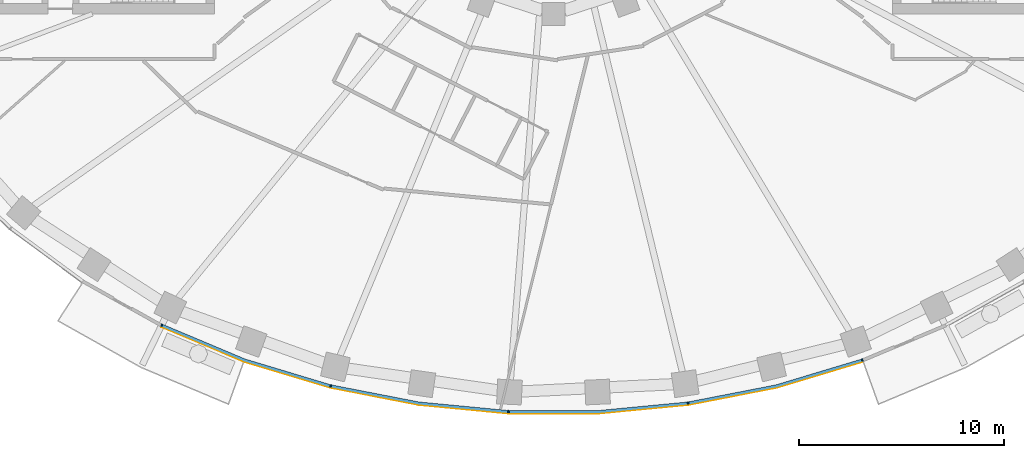
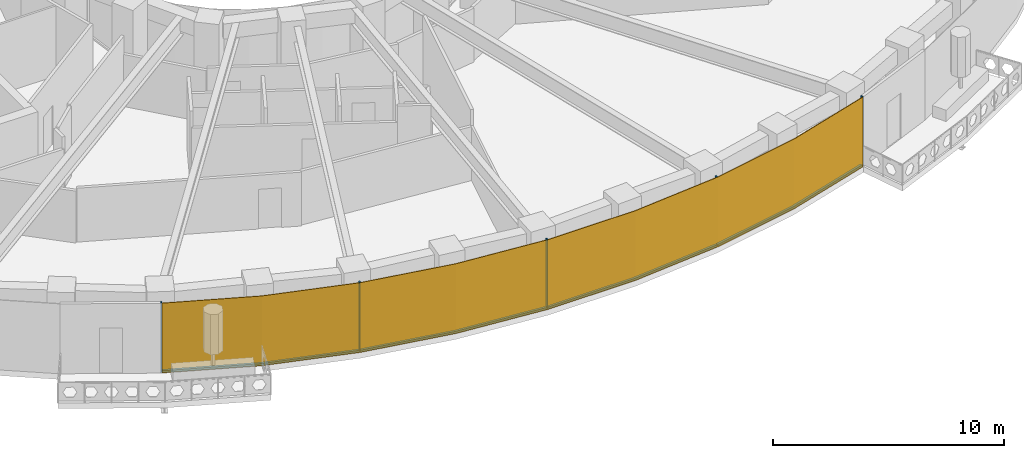
# One storey, part 9 of 15: 9 members, 1 curtain wall.
"""IFC4 building model written with IfcOpenShell, lengths in metres."""

from ifc_helpers import new_model, si_unit, direction, frame, origin, origin_2d, place, context, subcontext, project, spatial, polyline, rectangle, outline, extrude, material, layer, layer_set, material_profile, profile_set, type_object, element, aggregate, save


model = new_model("IFC4")

# Units and contexts
model_context = context("Model", 3, precision=1e-05, world=origin(), true_north=direction((0.0, 1.0)))
body_context = subcontext(model_context, "Body", "Model", "MODEL_VIEW")
ifc_project = project(units=[si_unit("LENGTHUNIT", "METRE"), si_unit("AREAUNIT", "SQUARE_METRE"), si_unit("VOLUMEUNIT", "CUBIC_METRE"), si_unit("PLANEANGLEUNIT", "RADIAN"), si_unit("MASSUNIT", "GRAM", prefix="KILO")], contexts=[model_context])

# Member
ifc_material_1 = material(Name="Aluminium 6063-T6 black anodised", Category="aluminium")
ifc_material_profile = material_profile(ifc_material_1, rectangle(XDim=0.1201171875, YDim=0.06005859375, at=origin_2d()), Name="120x60")
ifc_profile_set = profile_set([ifc_material_profile], Name="Aluminium 6063-T6 black anodised")
member_type_1 = type_object("IfcMemberType", Name="ENV-MULLION-A-120", PredefinedType="MULLION", material=ifc_profile_set)
site_placement = place(None, origin())
building_placement = place(site_placement, origin())
storey_placement = place(building_placement, frame((0.0, 0.0, 170.0)))
member_1_placement = place(storey_placement, frame((-19.06787109375, -23.6474609375, 0.0), z_axis=(0.0, 0.0, 1.0), x_axis=(0.439237769837, 0.898370848563, 0.0)))
member_1 = element("IfcMember", 1, at=member_1_placement, type_object=member_type_1, Name="Mullion A radial 31", PredefinedType="MULLION", context=body_context, shape_type="SweptSolid", body=[
    extrude(rectangle(XDim=0.1201171875, YDim=0.06005859375, at=origin_2d()), origin(), (0.0, 0.0, 1.0), 3.699951171875),
])

member_2_placement = place(storey_placement, frame((-10.84326171875, -26.60498046875, 0.0), z_axis=(0.0, 0.0, 1.0), x_axis=(0.239799081534, 0.970822538106, 0.0)))
member_2 = element("IfcMember", 2, at=member_2_placement, type_object=member_type_1, Name="Mullion A radial 33", PredefinedType="MULLION", context=body_context, shape_type="SweptSolid", body=[
    extrude(rectangle(XDim=0.1201171875, YDim=0.06005859375, at=origin_2d()), origin(), (0.0, 0.0, 1.0), 3.699951171875),
])

member_3_placement = place(storey_placement, frame((-2.188720703125, -27.856201171875, 0.0), z_axis=(0.0, 0.0, 1.0), x_axis=(0.047557873581, 0.998868484166, 0.0)))
member_3 = element("IfcMember", 3, at=member_3_placement, type_object=member_type_1, Name="Mullion A radial 35", PredefinedType="MULLION", context=body_context, shape_type="SweptSolid", body=[
    extrude(rectangle(XDim=0.1201171875, YDim=0.06005859375, at=origin_2d()), origin(), (0.0, 0.0, 1.0), 3.699951171875),
])

member_4_placement = place(storey_placement, frame((6.54638671875, -27.440185546875, 0.0), z_axis=(0.0, 0.0, 1.0), x_axis=(-0.143082012705, 0.989710835366, 0.0)))
member_4 = element("IfcMember", 4, at=member_4_placement, type_object=member_type_1, Name="Mullion A radial 37", PredefinedType="MULLION", context=body_context, shape_type="SweptSolid", body=[
    extrude(rectangle(XDim=0.1201171875, YDim=0.06005859375, at=origin_2d()), origin(), (0.0, 0.0, 1.0), 3.699951171875),
])

member_5_placement = place(storey_placement, frame((15.0341796875, -25.34375, 0.0), z_axis=(0.0, 0.0, 1.0), x_axis=(-0.338379256581, 0.941009818608, 0.0)))
member_5 = element("IfcMember", 5, at=member_5_placement, type_object=member_type_1, Name="Mullion A radial 39", PredefinedType="MULLION", context=body_context, shape_type="SweptSolid", body=[
    extrude(rectangle(XDim=0.1201171875, YDim=0.06005859375, at=origin_2d()), origin(), (0.0, 0.0, 1.0), 3.699951171875),
])

ifc_material_2 = material(Name="Aluminium 6063-T6 black anodised", Category="aluminium")
member_type_2 = type_object("IfcMemberType", Name="ENV-TRANSOM-A", PredefinedType="USERDEFINED", material=ifc_material_2)
member_6_placement = place(storey_placement, origin())
member_6 = element("IfcMember", 6, at=member_6_placement, type_object=member_type_2, Name="Transom A radial 31-33", ObjectType="TRANSOM", PredefinedType="USERDEFINED", context=body_context, shape_type="SweptSolid", body=[
    extrude(outline(polyline([(-19.068359375, -23.71240234375), (-15.054443359375, -25.400146484375), (-10.884521484375, -26.655029296875), (-10.855712890625, -26.53857421875), (-15.013916015625, -25.287109375), (-19.015380859375, -23.604248046875), (-19.068359375, -23.71240234375)])), origin(), (0.0, 0.0, 1.0), 0.10009765625),
])

member_7_placement = place(storey_placement, origin())
member_7 = element("IfcMember", 7, at=member_7_placement, type_object=member_type_2, Name="Transom A radial 33-35", ObjectType="TRANSOM", PredefinedType="USERDEFINED", context=body_context, shape_type="SweptSolid", body=[
    extrude(outline(polyline([(-10.830078125, -26.66845703125), (-6.55517578125, -27.49951171875), (-2.219482421875, -27.913330078125), (-2.2138671875, -27.793212890625), (-6.537841796875, -27.380615234375), (-10.80126953125, -26.552001953125), (-10.830078125, -26.66845703125)])), origin(), (0.0, 0.0, 1.0), 0.10009765625),
])

member_8_placement = place(storey_placement, origin())
member_8 = element("IfcMember", 8, at=member_8_placement, type_object=member_type_2, Name="Transom A radial 35-37", ObjectType="TRANSOM", PredefinedType="USERDEFINED", context=body_context, shape_type="SweptSolid", body=[
    extrude(outline(polyline([(-2.163818359375, -27.916015625), (2.191650390625, -27.916015625), (6.527099609375, -27.502197265625), (6.510009765625, -27.38330078125), (2.185791015625, -27.7958984375), (-2.157958984375, -27.7958984375), (-2.163818359375, -27.916015625)])), origin(), (0.0, 0.0, 1.0), 0.10009765625),
])

member_9_placement = place(storey_placement, origin())
member_9 = element("IfcMember", 9, at=member_9_placement, type_object=member_type_2, Name="Transom A radial 37-39", ObjectType="TRANSOM", PredefinedType="USERDEFINED", context=body_context, shape_type="SweptSolid", body=[
    extrude(outline(polyline([(6.58251953125, -27.494140625), (10.857666015625, -26.6630859375), (15.027587890625, -25.408203125), (14.987060546875, -25.295166015625), (10.828857421875, -26.54638671875), (6.5654296875, -27.375244140625), (6.58251953125, -27.494140625)])), origin(), (0.0, 0.0, 1.0), 0.10009765625),
])

# Site, building, storey
site = spatial("IfcSite", under=ifc_project, at=site_placement, CompositionType="ELEMENT")
building = spatial("IfcBuilding", under=site, at=building_placement, Name="Noorbagh Ring Tower", CompositionType="ELEMENT")
storey = spatial("IfcBuildingStorey", under=building, at=storey_placement, Name="L39", CompositionType="ELEMENT", Elevation=170.0)

# Curtain wall
ifc_material_3 = material(Name="Glass dark tinted laminated", Category="glass")
ifc_layer = layer(ifc_material_3, 0.031982421875)
ifc_layer_set = layer_set([ifc_layer], Name="Glass dark tinted laminated")
curtain_wall_type = type_object("IfcCurtainWallType", Name="ENV-CW-A", PredefinedType="NOTDEFINED", material=ifc_layer_set)
curtain_wall_placement = place(storey_placement, origin())
curtain_wall = element("IfcCurtainWall", 10, at=curtain_wall_placement, inside=storey, type_object=curtain_wall_type, Name="Curtain wall A R31", PredefinedType="NOTDEFINED", context=body_context, shape_type="SweptSolid", body=[
    extrude(outline(polyline([(-19.08984375, -23.738037109375), (-15.065185546875, -25.430419921875), (-10.865234375, -26.6943359375), (-6.559814453125, -27.53125), (-2.193115234375, -27.947998046875), (2.193115234375, -27.947998046875), (6.559814453125, -27.53125), (10.865234375, -26.6943359375), (15.046142578125, -25.43603515625), (15.035400390625, -25.406005859375), (10.857666015625, -26.6630859375), (6.55517578125, -27.49951171875), (2.191650390625, -27.916015625), (-2.191650390625, -27.916015625), (-6.55517578125, -27.49951171875), (-10.857666015625, -26.6630859375), (-15.054443359375, -25.400146484375), (-19.07568359375, -23.709228515625), (-19.08984375, -23.738037109375)])), origin(), (0.0, 0.0, 1.0), 3.699951171875),
])

aggregate(curtain_wall, [member_1, member_2, member_3, member_4, member_5, member_6, member_7, member_8, member_9])

save(model, "model.ifc")
